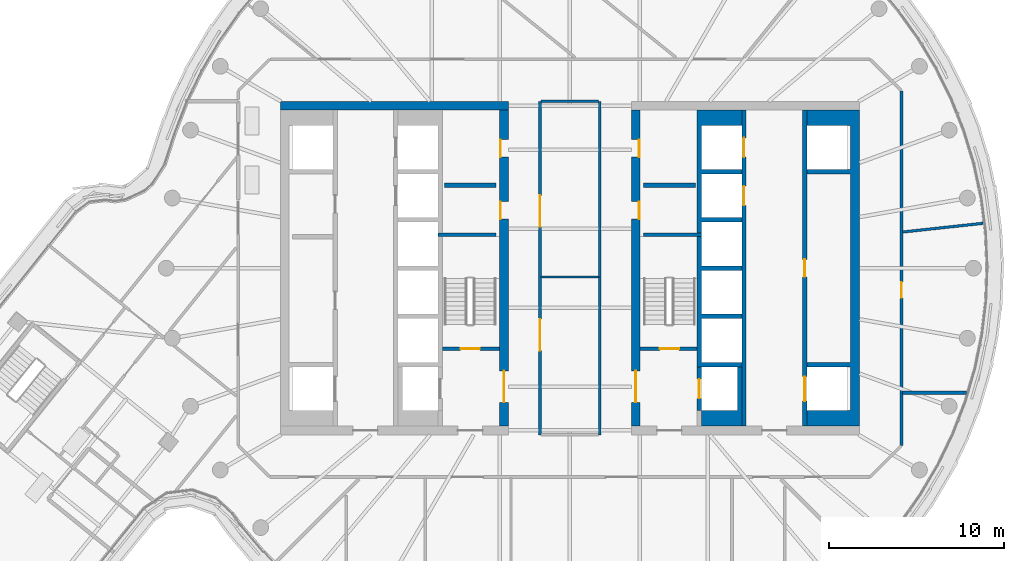
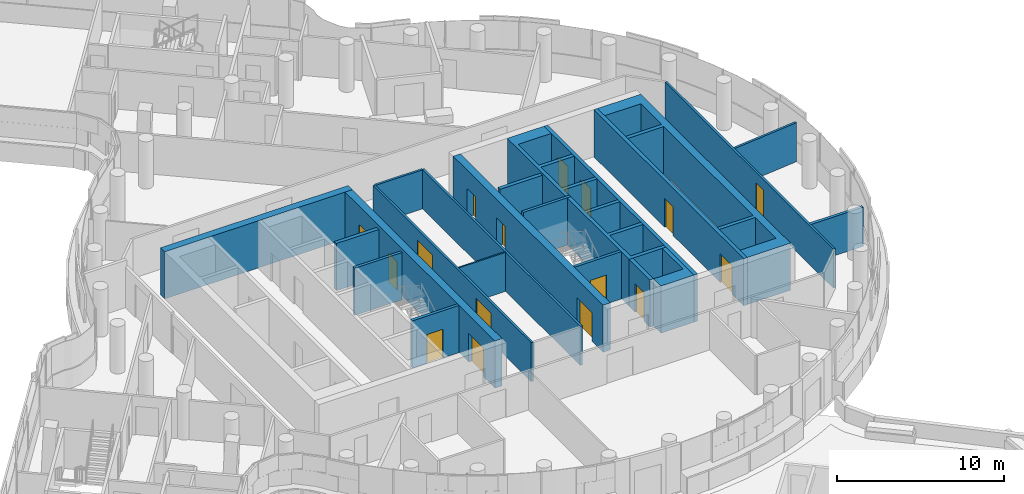
# One storey, part 17 of 25: 22 walls, 16 doors, 16 openings.
"""IFC4 building model written with IfcOpenShell, lengths in metres."""

from ifc_helpers import new_model, si_unit, direction, frame, frame_2d, origin, place, context, subcontext, project, spatial, polyline, rectangle, outline, extrude, material, layer, layer_set, type_object, element, fill, save


model = new_model("IFC4")

# Units and contexts
model_context = context("Model", 3, precision=1e-05, world=origin(), true_north=direction((0.0, 1.0)))
body_context = subcontext(model_context, "Body", "Model", "MODEL_VIEW")
ifc_project = project(units=[si_unit("LENGTHUNIT", "METRE"), si_unit("AREAUNIT", "SQUARE_METRE"), si_unit("VOLUMEUNIT", "CUBIC_METRE"), si_unit("PLANEANGLEUNIT", "RADIAN"), si_unit("MASSUNIT", "GRAM", prefix="KILO")], contexts=[model_context])

# Site, building, storey
site_placement = place(None, origin())
site = spatial("IfcSite", under=ifc_project, at=site_placement, CompositionType="ELEMENT")
building_placement = place(site_placement, origin())
building = spatial("IfcBuilding", under=site, at=building_placement, Name="Tamarind Cross Interchange Tower", CompositionType="ELEMENT")
storey_placement = place(building_placement, frame((0.0, 0.0, 219.89990234375)))
storey = spatial("IfcBuildingStorey", under=building, at=storey_placement, Name="L55", CompositionType="ELEMENT", Elevation=219.89990234375)

# Wall
ifc_material_1 = material(Name="Concrete C50", Category="concrete")
ifc_layer_1 = layer(ifc_material_1, 0.5)
ifc_layer_set_1 = layer_set([ifc_layer_1], Name="Concrete C50")
wall_type_1 = type_object("IfcWallType", Name="Core wall 500 mm Concrete C50", PredefinedType="SHEAR", material=ifc_layer_set_1)
wall_1_placement = place(storey_placement, frame((-16.5, 9.25, 0.0), z_axis=(0.0, 0.0, 1.0), x_axis=(1.0, 0.0, 0.0)))
element("IfcWall", 1, at=wall_1_placement, inside=storey, type_object=wall_type_1, Name="Core wall CWL-L55-W-NE", PredefinedType="SHEAR", context=body_context, shape_type="SweptSolid", body=[
    extrude(rectangle(XDim=13.0, YDim=0.5, at=frame_2d((6.5, 0.0))), origin(), (0.0, 0.0, 1.0), 3.460205078125),
])

# Wall, openings, doors
wall_2_placement = place(storey_placement, frame((-3.75, -9.0, 0.0), z_axis=(0.0, 0.0, 1.0), x_axis=(0.0, 1.0, 0.0)))
wall_2 = element("IfcWall", 2, at=wall_2_placement, inside=storey, type_object=wall_type_1, Name="Core wall CWL-L55-W-IN", PredefinedType="SHEAR", context=body_context, shape_type="SweptSolid", body=[
    extrude(rectangle(XDim=18.0, YDim=0.5, at=frame_2d((9.0, 0.0))), origin(), (0.0, 0.0, 1.0), 3.460205078125),
])
opening_1_placement = place(wall_2_placement, frame((1.35009765625, 0.0, 0.0)))
opening_1 = element("IfcOpeningElement", 3, at=opening_1_placement, cuts=wall_2, Name="Opening DCW4", PredefinedType="OPENING", context=body_context, shape_type="SweptSolid", body=[
    extrude(rectangle(XDim=1.800048828125, YDim=2.10009765625, at=frame_2d((0.89990234375, 1.050048828125))), frame((0.0, 0.260009765625, 0.0), z_axis=(0.0, -1.0, 0.0), x_axis=(1.0, 0.0, 0.0)), (0.0, 0.0, 1.0), 0.52001953125),
])
opening_2_placement = place(wall_2_placement, frame((11.797607421875, 0.0, 0.0)))
opening_2 = element("IfcOpeningElement", 4, at=opening_2_placement, cuts=wall_2, Name="Opening DCW5", PredefinedType="OPENING", context=body_context, shape_type="SweptSolid", body=[
    extrude(rectangle(XDim=1.0, YDim=2.10009765625, at=frame_2d((0.5, 1.050048828125))), frame((0.0, 0.260009765625, 0.0), z_axis=(0.0, -1.0, 0.0), x_axis=(1.0, 0.0, 0.0)), (0.0, 0.0, 1.0), 0.52001953125),
])
opening_3_placement = place(wall_2_placement, frame((15.322509765625, 0.0, 0.0)))
opening_3 = element("IfcOpeningElement", 5, at=opening_3_placement, cuts=wall_2, Name="Opening DCW5", PredefinedType="OPENING", context=body_context, shape_type="SweptSolid", body=[
    extrude(rectangle(XDim=1.0, YDim=2.10009765625, at=frame_2d((0.5, 1.050048828125))), frame((0.0, 0.260009765625, 0.0), z_axis=(0.0, -1.0, 0.0), x_axis=(1.0, 0.0, 0.0)), (0.0, 0.0, 1.0), 0.52001953125),
])
ifc_material_2 = material(Name="Steel, fire-resisting", Category="steel")
door_type_1 = type_object("IfcDoorType", Name="Core fire door 1000 x 2100 FD90", OperationType="SINGLE_SWING_LEFT", PredefinedType="DOOR", material=ifc_material_2)
door_1_placement = place(opening_2_placement, origin())
door_1 = element("IfcDoor", 6, at=door_1_placement, inside=storey, type_object=door_type_1, Name="L55 linen press door", OperationType="SINGLE_SWING_LEFT", OverallHeight=2.10009765625, OverallWidth=1.0, PredefinedType="DOOR", context=body_context, shape_type="SweptSolid", body=[
    extrude(rectangle(XDim=1.0, YDim=2.10009765625, at=frame_2d((0.5, 1.050048828125))), frame((0.0, 0.22509765625, 0.0), z_axis=(0.0, -1.0, 0.0), x_axis=(1.0, 0.0, 0.0)), (0.0, 0.0, 1.0), 0.050048828125),
])
fill(opening_2, door_1)
door_2_placement = place(opening_3_placement, origin())
door_2 = element("IfcDoor", 7, at=door_2_placement, inside=storey, type_object=door_type_1, Name="L55 housekeeping pantry door", OperationType="SINGLE_SWING_LEFT", OverallHeight=2.10009765625, OverallWidth=1.0, PredefinedType="DOOR", context=body_context, shape_type="SweptSolid", body=[
    extrude(rectangle(XDim=1.0, YDim=2.10009765625, at=frame_2d((0.5, 1.050048828125))), frame((0.0, 0.22509765625, 0.0), z_axis=(0.0, -1.0, 0.0), x_axis=(1.0, 0.0, 0.0)), (0.0, 0.0, 1.0), 0.050048828125),
])
fill(opening_3, door_2)
door_type_2 = type_object("IfcDoorType", Name="Core fire door 1800 x 2100 FD90", OperationType="SINGLE_SWING_LEFT", PredefinedType="DOOR", material=ifc_material_2)
door_3_placement = place(opening_1_placement, origin())
door_3 = element("IfcDoor", 8, at=door_3_placement, inside=storey, type_object=door_type_2, Name="L55 firefighting lobby door", OperationType="SINGLE_SWING_LEFT", OverallHeight=2.10009765625, OverallWidth=1.800048828125, PredefinedType="DOOR", context=body_context, shape_type="SweptSolid", body=[
    extrude(rectangle(XDim=1.800048828125, YDim=2.10009765625, at=frame_2d((0.89990234375, 1.050048828125))), frame((0.0, 0.02490234375, 0.0), z_axis=(0.0, -1.0, 0.0), x_axis=(1.0, 0.0, 0.0)), (0.0, 0.0, 1.0), 0.050048828125),
])
fill(opening_1, door_3)

# Wall
wall_3_placement = place(storey_placement, origin())
element("IfcWall", 9, at=wall_3_placement, inside=storey, type_object=wall_type_1, Name="Core wall CWL-L55-E-A", PredefinedType="SHEAR", context=body_context, shape_type="SweptSolid", body=[
    extrude(outline(polyline([(13.5, -8.125), (13.5, -9.0), (16.0, -9.0), (16.5, -9.0), (16.5, 9.0), (16.0, 9.0), (13.5, 9.0), (13.5, 8.125), (16.0, 8.125), (16.0, 5.625), (13.5, 5.625), (13.5, 5.375), (16.0, 5.375), (16.0, -5.375), (13.5, -5.375), (13.5, -5.625), (16.0, -5.625), (16.0, -8.125), (13.5, -8.125)])), origin(), (0.0, 0.0, 1.0), 3.460205078125),
])

# Wall, openings, doors
wall_4_placement = place(storey_placement, frame((3.75, -9.0, 0.0), z_axis=(0.0, 0.0, 1.0), x_axis=(0.0, 1.0, 0.0)))
wall_4 = element("IfcWall", 10, at=wall_4_placement, inside=storey, type_object=wall_type_1, Name="Core wall CWL-L55-E-IN", PredefinedType="SHEAR", context=body_context, shape_type="SweptSolid", body=[
    extrude(rectangle(XDim=18.0, YDim=0.5, at=frame_2d((9.0, 0.0))), origin(), (0.0, 0.0, 1.0), 3.460205078125),
])
opening_4_placement = place(wall_4_placement, frame((1.35009765625, 0.0, 0.0)))
opening_4 = element("IfcOpeningElement", 11, at=opening_4_placement, cuts=wall_4, Name="Opening DCE4", PredefinedType="OPENING", context=body_context, shape_type="SweptSolid", body=[
    extrude(rectangle(XDim=1.800048828125, YDim=2.10009765625, at=frame_2d((0.89990234375, 1.050048828125))), frame((0.0, 0.260009765625, 0.0), z_axis=(0.0, -1.0, 0.0), x_axis=(1.0, 0.0, 0.0)), (0.0, 0.0, 1.0), 0.52001953125),
])
opening_5_placement = place(wall_4_placement, frame((11.797607421875, 0.0, 0.0)))
opening_5 = element("IfcOpeningElement", 12, at=opening_5_placement, cuts=wall_4, Name="Opening DCE5", PredefinedType="OPENING", context=body_context, shape_type="SweptSolid", body=[
    extrude(rectangle(XDim=1.0, YDim=2.10009765625, at=frame_2d((0.5, 1.050048828125))), frame((0.0, 0.260009765625, 0.0), z_axis=(0.0, -1.0, 0.0), x_axis=(1.0, 0.0, 0.0)), (0.0, 0.0, 1.0), 0.52001953125),
])
opening_6_placement = place(wall_4_placement, frame((15.322509765625, 0.0, 0.0)))
opening_6 = element("IfcOpeningElement", 13, at=opening_6_placement, cuts=wall_4, Name="Opening DCE5", PredefinedType="OPENING", context=body_context, shape_type="SweptSolid", body=[
    extrude(rectangle(XDim=1.0, YDim=2.10009765625, at=frame_2d((0.5, 1.050048828125))), frame((0.0, 0.260009765625, 0.0), z_axis=(0.0, -1.0, 0.0), x_axis=(1.0, 0.0, 0.0)), (0.0, 0.0, 1.0), 0.52001953125),
])
door_4_placement = place(opening_5_placement, origin())
door_4 = element("IfcDoor", 14, at=door_4_placement, inside=storey, type_object=door_type_1, Name="L55 linen press door", OperationType="SINGLE_SWING_LEFT", OverallHeight=2.10009765625, OverallWidth=1.0, PredefinedType="DOOR", context=body_context, shape_type="SweptSolid", body=[
    extrude(rectangle(XDim=1.0, YDim=2.10009765625, at=frame_2d((0.5, 1.050048828125))), frame((0.0, -0.1748046875, 0.0), z_axis=(0.0, -1.0, 0.0), x_axis=(1.0, 0.0, 0.0)), (0.0, 0.0, 1.0), 0.050048828125),
])
fill(opening_5, door_4)
door_5_placement = place(opening_6_placement, origin())
door_5 = element("IfcDoor", 15, at=door_5_placement, inside=storey, type_object=door_type_1, Name="L55 housekeeping pantry door", OperationType="SINGLE_SWING_LEFT", OverallHeight=2.10009765625, OverallWidth=1.0, PredefinedType="DOOR", context=body_context, shape_type="SweptSolid", body=[
    extrude(rectangle(XDim=1.0, YDim=2.10009765625, at=frame_2d((0.5, 1.050048828125))), frame((0.0, -0.1748046875, 0.0), z_axis=(0.0, -1.0, 0.0), x_axis=(1.0, 0.0, 0.0)), (0.0, 0.0, 1.0), 0.050048828125),
])
fill(opening_6, door_5)
door_6_placement = place(opening_4_placement, origin())
door_6 = element("IfcDoor", 16, at=door_6_placement, inside=storey, type_object=door_type_2, Name="L55 firefighting lobby door", OperationType="SINGLE_SWING_LEFT", OverallHeight=2.10009765625, OverallWidth=1.800048828125, PredefinedType="DOOR", context=body_context, shape_type="SweptSolid", body=[
    extrude(rectangle(XDim=1.800048828125, YDim=2.10009765625, at=frame_2d((0.89990234375, 1.050048828125))), frame((0.0, 0.02490234375, 0.0), z_axis=(0.0, -1.0, 0.0), x_axis=(1.0, 0.0, 0.0)), (0.0, 0.0, 1.0), 0.050048828125),
])
fill(opening_4, door_6)

# Walls
ifc_layer_2 = layer(ifc_material_1, 0.199951171875)
ifc_layer_set_2 = layer_set([ifc_layer_2], Name="Concrete C50")
wall_type_2 = type_object("IfcWallType", Name="Core web wall 200 mm Concrete C50", PredefinedType="SHEAR", material=ifc_layer_set_2)
for number, where, z_axis, x_axis, name in (
    (17, (-7.5, 1.89990234375, 0.0), (0.0, 0.0, 1.0), (1.0, 0.0, 0.0), "Core wall CWL-L55-W-BD"),
    (18, (7.5, 1.89990234375, 0.0), (0.0, 0.0, 1.0), (-1.0, 0.0, 0.0), "Core wall CWL-L55-E-BD"),
):
    element("IfcWall", number, at=place(storey_placement, frame(where, z_axis=z_axis, x_axis=x_axis)), inside=storey, type_object=wall_type_2, Name=name, PredefinedType="SHEAR", context=body_context, shape_type="SweptSolid", body=[
        extrude(rectangle(XDim=3.300048828125, YDim=0.199951171875, at=frame_2d((1.64990234375, 0.0))), origin(), (0.0, 0.0, 1.0), 3.460205078125),
    ])
ifc_layer_3 = layer(ifc_material_1, 0.25)
ifc_layer_set_3 = layer_set([ifc_layer_3], Name="Concrete C50")
wall_type_3 = type_object("IfcWallType", Name="Core web wall 250 mm Concrete C50", PredefinedType="SHEAR", material=ifc_layer_set_3)
wall_5_placement = place(storey_placement, origin())
element("IfcWall", 19, at=wall_5_placement, inside=storey, type_object=wall_type_3, Name="Core wall CWL-L55-E-BN", PredefinedType="SHEAR", context=body_context, shape_type="SweptSolid", body=[
    extrude(outline(polyline([(9.800048828125, -5.375), (7.5, -5.375), (7.5, -2.875), (9.800048828125, -2.875), (9.800048828125, -2.625), (7.5, -2.625), (7.5, -0.125), (9.800048828125, -0.125), (9.800048828125, 0.125), (7.5, 0.125), (7.5, 2.625), (9.800048828125, 2.625), (9.800048828125, 2.875), (7.5, 2.875), (7.5, 5.375), (9.800048828125, 5.375), (9.800048828125, 5.625), (7.5, 5.625), (7.5, 8.125), (9.800048828125, 8.125), (9.800048828125, 9.0), (7.5, 9.0), (7.25, 9.0), (7.25, -5.625), (7.5, -5.625), (9.800048828125, -5.625), (9.800048828125, -5.375)])), origin(), (0.0, 0.0, 1.0), 3.460205078125),
])
wall_6_placement = place(storey_placement, origin())
element("IfcWall", 20, at=wall_6_placement, inside=storey, type_object=wall_type_3, Name="Core wall CWL-L55-E-BS", PredefinedType="SHEAR", context=body_context, shape_type="SweptSolid", body=[
    extrude(outline(polyline([(7.5, -8.125), (7.5, -9.0), (9.800048828125, -9.0), (9.800048828125, -8.125), (9.800048828125, -5.625), (9.550048828125, -5.625), (9.550048828125, -8.125), (7.5, -8.125)])), origin(), (0.0, 0.0, 1.0), 3.460205078125),
])

# Wall, openings, doors
wall_7_placement = place(storey_placement, frame((13.375, -9.0, 0.0), z_axis=(0.0, 0.0, 1.0), x_axis=(0.0, 1.0, 0.0)))
wall_7 = element("IfcWall", 21, at=wall_7_placement, inside=storey, type_object=wall_type_3, Name="Core wall CWL-L55-E-LA", PredefinedType="SHEAR", context=body_context, shape_type="SweptSolid", body=[
    extrude(rectangle(XDim=18.0, YDim=0.25, at=frame_2d((9.0, 0.0))), origin(), (0.0, 0.0, 1.0), 3.460205078125),
])
opening_7_placement = place(wall_7_placement, frame((1.425048828125, 0.0, 0.0)))
opening_7 = element("IfcOpeningElement", 22, at=opening_7_placement, cuts=wall_7, Name="Opening LD13L55", PredefinedType="OPENING", context=body_context, shape_type="SweptSolid", body=[
    extrude(rectangle(XDim=1.39990234375, YDim=2.10009765625, at=frame_2d((0.699951171875, 1.050048828125))), frame((0.0, 0.135009765625, 0.0), z_axis=(0.0, -1.0, 0.0), x_axis=(1.0, 0.0, 0.0)), (0.0, 0.0, 1.0), 0.27001953125),
])
opening_8_placement = place(wall_7_placement, frame((8.5, 0.0, 0.0)))
opening_8 = element("IfcOpeningElement", 23, at=opening_8_placement, cuts=wall_7, Name="Opening DCE9", PredefinedType="OPENING", context=body_context, shape_type="SweptSolid", body=[
    extrude(rectangle(XDim=1.0, YDim=2.10009765625, at=frame_2d((0.5, 1.050048828125))), frame((0.0, 0.135009765625, 0.0), z_axis=(0.0, -1.0, 0.0), x_axis=(1.0, 0.0, 0.0)), (0.0, 0.0, 1.0), 0.27001953125),
])
door_7_placement = place(opening_8_placement, origin())
door_7 = element("IfcDoor", 24, at=door_7_placement, inside=storey, type_object=door_type_1, Name="L55 Housekeeping pantry door", OperationType="SINGLE_SWING_LEFT", OverallHeight=2.10009765625, OverallWidth=1.0, PredefinedType="DOOR", context=body_context, shape_type="SweptSolid", body=[
    extrude(rectangle(XDim=1.0, YDim=2.10009765625, at=frame_2d((0.5, 1.050048828125))), frame((0.0, 0.02490234375, 0.0), z_axis=(0.0, -1.0, 0.0), x_axis=(1.0, 0.0, 0.0)), (0.0, 0.0, 1.0), 0.050048828125),
])
fill(opening_8, door_7)
ifc_material_3 = material(Name="Stainless steel panel", Category="steel")
door_type_3 = type_object("IfcDoorType", Name="Lift landing door 1400 x 2100 E 120", OperationType="SLIDING_TO_LEFT", PredefinedType="DOOR", material=ifc_material_3)
door_8_placement = place(opening_7_placement, origin())
door_8 = element("IfcDoor", 25, at=door_8_placement, inside=storey, type_object=door_type_3, Name="L55 landing door LF13", OperationType="SLIDING_TO_LEFT", OverallHeight=2.10009765625, OverallWidth=1.39990234375, PredefinedType="DOOR", context=body_context, shape_type="SweptSolid", body=[
    extrude(rectangle(XDim=1.39990234375, YDim=2.10009765625, at=frame_2d((0.699951171875, 1.050048828125))), frame((0.0, 0.02490234375, 0.0), z_axis=(0.0, -1.0, 0.0), x_axis=(1.0, 0.0, 0.0)), (0.0, 0.0, 1.0), 0.050048828125),
])
fill(opening_7, door_8)

wall_8_placement = place(storey_placement, frame((9.925048828125, -9.0, 0.0), z_axis=(0.0, 0.0, 1.0), x_axis=(0.0, 1.0, 0.0)))
wall_8 = element("IfcWall", 26, at=wall_8_placement, inside=storey, type_object=wall_type_3, Name="Core wall CWL-L55-E-LB", PredefinedType="SHEAR", context=body_context, shape_type="SweptSolid", body=[
    extrude(rectangle(XDim=18.0, YDim=0.25, at=frame_2d((9.0, 0.0))), origin(), (0.0, 0.0, 1.0), 3.460205078125),
])
opening_9_placement = place(wall_8_placement, frame((12.574951171875, 0.0, 0.0)))
opening_9 = element("IfcOpeningElement", 27, at=opening_9_placement, cuts=wall_8, Name="Opening LD23L55", PredefinedType="OPENING", context=body_context, shape_type="SweptSolid", body=[
    extrude(rectangle(XDim=1.10009765625, YDim=2.10009765625, at=frame_2d((0.550048828125, 1.050048828125))), frame((0.0, 0.135009765625, 0.0), z_axis=(0.0, -1.0, 0.0), x_axis=(1.0, 0.0, 0.0)), (0.0, 0.0, 1.0), 0.27001953125),
])
opening_10_placement = place(wall_8_placement, frame((15.324951171875, 0.0, 0.0)))
opening_10 = element("IfcOpeningElement", 28, at=opening_10_placement, cuts=wall_8, Name="Opening LD24L55", PredefinedType="OPENING", context=body_context, shape_type="SweptSolid", body=[
    extrude(rectangle(XDim=1.10009765625, YDim=2.10009765625, at=frame_2d((0.550048828125, 1.050048828125))), frame((0.0, 0.135009765625, 0.0), z_axis=(0.0, -1.0, 0.0), x_axis=(1.0, 0.0, 0.0)), (0.0, 0.0, 1.0), 0.27001953125),
])
door_type_4 = type_object("IfcDoorType", Name="Lift landing door 1100 x 2100 E 120", OperationType="SLIDING_TO_LEFT", PredefinedType="DOOR", material=ifc_material_3)
door_9_placement = place(opening_9_placement, origin())
door_9 = element("IfcDoor", 29, at=door_9_placement, inside=storey, type_object=door_type_4, Name="L55 landing door LF23", OperationType="SLIDING_TO_LEFT", OverallHeight=2.10009765625, OverallWidth=1.10009765625, PredefinedType="DOOR", context=body_context, shape_type="SweptSolid", body=[
    extrude(rectangle(XDim=1.10009765625, YDim=2.10009765625, at=frame_2d((0.550048828125, 1.050048828125))), frame((0.0, 0.02490234375, 0.0), z_axis=(0.0, -1.0, 0.0), x_axis=(1.0, 0.0, 0.0)), (0.0, 0.0, 1.0), 0.050048828125),
])
fill(opening_9, door_9)
door_10_placement = place(opening_10_placement, origin())
door_10 = element("IfcDoor", 30, at=door_10_placement, inside=storey, type_object=door_type_4, Name="L55 landing door LF24", OperationType="SLIDING_TO_LEFT", OverallHeight=2.10009765625, OverallWidth=1.10009765625, PredefinedType="DOOR", context=body_context, shape_type="SweptSolid", body=[
    extrude(rectangle(XDim=1.10009765625, YDim=2.10009765625, at=frame_2d((0.550048828125, 1.050048828125))), frame((0.0, 0.02490234375, 0.0), z_axis=(0.0, -1.0, 0.0), x_axis=(1.0, 0.0, 0.0)), (0.0, 0.0, 1.0), 0.050048828125),
])
fill(opening_10, door_10)

# Wall, opening, door
wall_9_placement = place(storey_placement, frame((7.375, -8.125, 0.0), z_axis=(0.0, 0.0, 1.0), x_axis=(0.0, 1.0, 0.0)))
wall_9 = element("IfcWall", 31, at=wall_9_placement, inside=storey, type_object=wall_type_3, Name="Core wall CWL-L55-E-FF", PredefinedType="SHEAR", context=body_context, shape_type="SweptSolid", body=[
    extrude(rectangle(XDim=2.5, YDim=0.25, at=frame_2d((1.25, 0.0))), origin(), (0.0, 0.0, 1.0), 3.460205078125),
])
opening_11_placement = place(wall_9_placement, frame((0.699951171875, 0.0, 0.0)))
opening_11 = element("IfcOpeningElement", 32, at=opening_11_placement, cuts=wall_9, Name="Opening LD19L55", PredefinedType="OPENING", context=body_context, shape_type="SweptSolid", body=[
    extrude(rectangle(XDim=1.10009765625, YDim=2.10009765625, at=frame_2d((0.550048828125, 1.050048828125))), frame((0.0, 0.135009765625, 0.0), z_axis=(0.0, -1.0, 0.0), x_axis=(1.0, 0.0, 0.0)), (0.0, 0.0, 1.0), 0.27001953125),
])
door_11_placement = place(opening_11_placement, origin())
door_11 = element("IfcDoor", 33, at=door_11_placement, inside=storey, type_object=door_type_4, Name="L55 landing door LF19", OperationType="SLIDING_TO_LEFT", OverallHeight=2.10009765625, OverallWidth=1.10009765625, PredefinedType="DOOR", context=body_context, shape_type="SweptSolid", body=[
    extrude(rectangle(XDim=1.10009765625, YDim=2.10009765625, at=frame_2d((0.550048828125, 1.050048828125))), frame((0.0, 0.02490234375, 0.0), z_axis=(0.0, -1.0, 0.0), x_axis=(1.0, 0.0, 0.0)), (0.0, 0.0, 1.0), 0.050048828125),
])
fill(opening_11, door_11)

# Walls
ifc_material_4 = material(Name="Gypsum board partition on steel studs", Category="steel")
ifc_layer_4 = layer(ifc_material_4, 0.10009765625)
ifc_layer_set_4 = layer_set([ifc_layer_4], Name="Gypsum board partition on steel studs")
wall_type_4 = type_object("IfcWallType", Name="Partition 100 mm EI 120", PredefinedType="PARTITIONING", material=ifc_layer_set_4)
wall_10_placement = place(storey_placement, frame((-1.639892578125, -0.5, 0.0), z_axis=(0.0, 0.0, 1.0), x_axis=(1.0, 0.0, 0.0)))
element("IfcWall", 34, at=wall_10_placement, inside=storey, type_object=wall_type_4, Name="Partition L55-027", PredefinedType="PARTITIONING", context=body_context, shape_type="SweptSolid", body=[
    extrude(rectangle(XDim=3.27978515625, YDim=0.10009765625, at=frame_2d((1.639892578125, 0.0))), origin(), (0.0, 0.0, 1.0), 2.864013671875),
])
ifc_layer_5 = layer(ifc_material_4, 0.14990234375)
ifc_layer_set_5 = layer_set([ifc_layer_5], Name="Gypsum board partition on steel studs")
wall_type_5 = type_object("IfcWallType", Name="Partition 150 mm EI 120", PredefinedType="PARTITIONING", material=ifc_layer_set_5)
wall_11_placement = place(storey_placement, frame((-1.639892578125, 9.5, 0.0), z_axis=(0.0, 0.0, 1.0), x_axis=(1.0, 0.0, 0.0)))
element("IfcWall", 35, at=wall_11_placement, inside=storey, type_object=wall_type_5, Name="Partition L55-028", PredefinedType="PARTITIONING", context=body_context, shape_type="SweptSolid", body=[
    extrude(rectangle(XDim=3.27978515625, YDim=0.14990234375, at=frame_2d((1.639892578125, 0.0))), origin(), (0.0, 0.0, 1.0), 2.864013671875),
])
wall_12_placement = place(storey_placement, frame((18.964599609375, 2.05908203125, 0.0), z_axis=(0.0, 0.0, 1.0), x_axis=(0.994181439034, 0.107718458398, 0.0)))
element("IfcWall", 36, at=wall_12_placement, inside=storey, type_object=wall_type_5, Name="Partition L55-030", PredefinedType="PARTITIONING", context=body_context, shape_type="SweptSolid", body=[
    extrude(rectangle(XDim=4.603271484375, YDim=0.14990234375, at=frame_2d((2.3017578125, 0.0))), origin(), (0.0, 0.0, 1.0), 2.864013671875),
])

# Wall, openings, doors
wall_13_placement = place(storey_placement, frame((-1.699951171875, -9.5, 0.0), z_axis=(0.0, 0.0, 1.0), x_axis=(0.0, 1.0, 0.0)))
wall_13 = element("IfcWall", 37, at=wall_13_placement, inside=storey, type_object=wall_type_5, Name="Partition L55-055", PredefinedType="PARTITIONING", context=body_context, shape_type="SweptSolid", body=[
    extrude(rectangle(XDim=19.0, YDim=0.14990234375, at=frame_2d((9.5, 0.0))), origin(), (0.0, 0.0, 1.0), 2.864013671875),
])
opening_12_placement = place(wall_13_placement, frame((4.800048828125, 0.0, 0.0)))
opening_12 = element("IfcOpeningElement", 38, at=opening_12_placement, cuts=wall_13, Name="Opening D29", PredefinedType="OPENING", context=body_context, shape_type="SweptSolid", body=[
    extrude(rectangle(XDim=1.800048828125, YDim=2.10009765625, at=frame_2d((0.89990234375, 1.050048828125))), frame((0.0, 0.0849609375, 0.0), z_axis=(0.0, -1.0, 0.0), x_axis=(1.0, 0.0, 0.0)), (0.0, 0.0, 1.0), 0.169921875),
])
opening_13_placement = place(wall_13_placement, frame((11.85009765625, 0.0, 0.0)))
opening_13 = element("IfcOpeningElement", 39, at=opening_13_placement, cuts=wall_13, Name="Opening D30", PredefinedType="OPENING", context=body_context, shape_type="SweptSolid", body=[
    extrude(rectangle(XDim=1.800048828125, YDim=2.10009765625, at=frame_2d((0.89990234375, 1.050048828125))), frame((0.0, 0.0849609375, 0.0), z_axis=(0.0, -1.0, 0.0), x_axis=(1.0, 0.0, 0.0)), (0.0, 0.0, 1.0), 0.169921875),
])
ifc_material_5 = material(Name="Fire-resisting door set")
door_type_5 = type_object("IfcDoorType", Name="Interior door 1800 x 2100 FD60S", OperationType="DOUBLE_DOOR_SINGLE_SWING", PredefinedType="DOOR", material=ifc_material_5)
door_12_placement = place(opening_12_placement, frame((1.800048828125, 0.0, 0.0), z_axis=(0.0, 0.0, 1.0), x_axis=(-1.0, 0.0, 0.0)))
door_12 = element("IfcDoor", 40, at=door_12_placement, inside=storey, type_object=door_type_5, Name="Door D29", OperationType="DOUBLE_DOOR_SINGLE_SWING", OverallHeight=2.10009765625, OverallWidth=1.800048828125, PredefinedType="DOOR", context=body_context, shape_type="SweptSolid", body=[
    extrude(rectangle(XDim=1.800048828125, YDim=2.10009765625, at=frame_2d((0.89990234375, 1.050048828125))), frame((0.0, 0.02490234375, 0.0), z_axis=(0.0, -1.0, 0.0), x_axis=(1.0, 0.0, 0.0)), (0.0, 0.0, 1.0), 0.050048828125),
])
fill(opening_12, door_12)
door_13_placement = place(opening_13_placement, frame((1.800048828125, 0.0, 0.0), z_axis=(0.0, 0.0, 1.0), x_axis=(-1.0, 0.0, 0.0)))
door_13 = element("IfcDoor", 41, at=door_13_placement, inside=storey, type_object=door_type_5, Name="Door D30", OperationType="DOUBLE_DOOR_SINGLE_SWING", OverallHeight=2.10009765625, OverallWidth=1.800048828125, PredefinedType="DOOR", context=body_context, shape_type="SweptSolid", body=[
    extrude(rectangle(XDim=1.800048828125, YDim=2.10009765625, at=frame_2d((0.89990234375, 1.050048828125))), frame((0.0, 0.02490234375, 0.0), z_axis=(0.0, -1.0, 0.0), x_axis=(1.0, 0.0, 0.0)), (0.0, 0.0, 1.0), 0.050048828125),
])
fill(opening_13, door_13)

# Wall
wall_14_placement = place(storey_placement, frame((1.699951171875, -9.5, 0.0), z_axis=(0.0, 0.0, 1.0), x_axis=(0.0, 1.0, 0.0)))
element("IfcWall", 42, at=wall_14_placement, inside=storey, type_object=wall_type_5, Name="Partition L55-056", PredefinedType="PARTITIONING", context=body_context, shape_type="SweptSolid", body=[
    extrude(rectangle(XDim=19.0, YDim=0.14990234375, at=frame_2d((9.5, 0.0))), origin(), (0.0, 0.0, 1.0), 2.864013671875),
])

# Wall, opening, door
wall_15_placement = place(storey_placement, frame((18.89990234375, -10.10009765625, 0.0), z_axis=(0.0, 0.0, 1.0), x_axis=(0.0, 1.0, 0.0)))
wall_15 = element("IfcWall", 43, at=wall_15_placement, inside=storey, type_object=wall_type_5, Name="Partition L55-059", PredefinedType="PARTITIONING", context=body_context, shape_type="SweptSolid", body=[
    extrude(rectangle(XDim=20.2001953125, YDim=0.14990234375, at=frame_2d((10.10009765625, 0.0))), origin(), (0.0, 0.0, 1.0), 2.864013671875),
])
opening_14_placement = place(wall_15_placement, frame((8.406982421875, 0.0, 0.0)))
opening_14 = element("IfcOpeningElement", 44, at=opening_14_placement, cuts=wall_15, Name="Opening D31", PredefinedType="OPENING", context=body_context, shape_type="SweptSolid", body=[
    extrude(rectangle(XDim=0.89990234375, YDim=2.10009765625, at=frame_2d((0.449951171875, 1.050048828125))), frame((0.0, 0.0849609375, 0.0), z_axis=(0.0, -1.0, 0.0), x_axis=(1.0, 0.0, 0.0)), (0.0, 0.0, 1.0), 0.169921875),
])
door_type_6 = type_object("IfcDoorType", Name="Interior door 900 x 2100 FD60S", OperationType="SINGLE_SWING_LEFT", PredefinedType="DOOR", material=ifc_material_5)
door_14_placement = place(opening_14_placement, frame((0.89990234375, 0.0, 0.0), z_axis=(0.0, 0.0, 1.0), x_axis=(-1.0, 0.0, 0.0)))
door_14 = element("IfcDoor", 45, at=door_14_placement, inside=storey, type_object=door_type_6, Name="Door D31", OperationType="SINGLE_SWING_LEFT", OverallHeight=2.10009765625, OverallWidth=0.89990234375, PredefinedType="DOOR", context=body_context, shape_type="SweptSolid", body=[
    extrude(rectangle(XDim=0.89990234375, YDim=2.10009765625, at=frame_2d((0.449951171875, 1.050048828125))), frame((0.0, 0.02490234375, 0.0), z_axis=(0.0, -1.0, 0.0), x_axis=(1.0, 0.0, 0.0)), (0.0, 0.0, 1.0), 0.050048828125),
])
fill(opening_14, door_14)

# Walls
ifc_layer_6 = layer(ifc_material_4, 0.199951171875)
ifc_layer_set_6 = layer_set([ifc_layer_6], Name="Gypsum board partition on steel studs")
wall_type_6 = type_object("IfcWallType", Name="Partition 200 mm EI 180", PredefinedType="PARTITIONING", material=ifc_layer_set_6)
wall_16_placement = place(storey_placement, frame((18.955078125, -7.093017578125, 0.0), z_axis=(0.0, 0.0, 1.0), x_axis=(1.0, 0.0, 0.0)))
element("IfcWall", 46, at=wall_16_placement, inside=storey, type_object=wall_type_6, Name="Partition L55-029", PredefinedType="PARTITIONING", context=body_context, shape_type="SweptSolid", body=[
    extrude(rectangle(XDim=3.636474609375, YDim=0.199951171875, at=frame_2d((1.818359375, 0.0))), origin(), (0.0, 0.0, 1.0), 2.864013671875),
])
ifc_material_6 = material(Name="Concrete C40", Category="concrete")
ifc_layer_7 = layer(ifc_material_6, 0.25)
ifc_layer_set_7 = layer_set([ifc_layer_7], Name="Concrete C40")
wall_type_7 = type_object("IfcWallType", Name="Shaft and lobby wall 250 mm Concrete C40", PredefinedType="PARTITIONING", material=ifc_layer_set_7)
for number, where, z_axis, x_axis, name in (
    (47, (-7.14990234375, 4.719970703125, 0.0), (0.0, 0.0, 1.0), (1.0, 0.0, 0.0), "Shaft wall CWL-L55-W-SVP"),
    (48, (7.14990234375, 4.719970703125, 0.0), (0.0, 0.0, 1.0), (-1.0, 0.0, 0.0), "Shaft wall CWL-L55-E-SVP"),
):
    element("IfcWall", number, at=place(storey_placement, frame(where, z_axis=z_axis, x_axis=x_axis)), inside=storey, type_object=wall_type_7, Name=name, PredefinedType="PARTITIONING", context=body_context, shape_type="SweptSolid", body=[
        extrude(rectangle(XDim=2.949951171875, YDim=0.25, at=frame_2d((1.47509765625, 0.0))), origin(), (0.0, 0.0, 1.0), 3.460205078125),
    ])

# Wall, opening, door
ifc_layer_8 = layer(ifc_material_6, 0.199951171875)
ifc_layer_set_8 = layer_set([ifc_layer_8], Name="Concrete C40")
wall_type_8 = type_object("IfcWallType", Name="Stair shaft wall 200 mm Concrete C40", PredefinedType="SHEAR", material=ifc_layer_set_8)
wall_17_placement = place(storey_placement, frame((-7.25, -4.60009765625, 0.0), z_axis=(0.0, 0.0, 1.0), x_axis=(1.0, 0.0, 0.0)))
wall_17 = element("IfcWall", 49, at=wall_17_placement, inside=storey, type_object=wall_type_8, Name="Core wall CWL-L55-W-SD", PredefinedType="SHEAR", context=body_context, shape_type="SweptSolid", body=[
    extrude(rectangle(XDim=3.25, YDim=0.199951171875, at=frame_2d((1.625, 0.0))), origin(), (0.0, 0.0, 1.0), 3.460205078125),
])
opening_15_placement = place(wall_17_placement, frame((1.02490234375, 0.0, 0.0)))
opening_15 = element("IfcOpeningElement", 50, at=opening_15_placement, cuts=wall_17, Name="Opening DCW6", PredefinedType="OPENING", context=body_context, shape_type="SweptSolid", body=[
    extrude(rectangle(XDim=1.10009765625, YDim=2.10009765625, at=frame_2d((0.550048828125, 1.050048828125))), frame((0.0, 0.10986328125, 0.0), z_axis=(0.0, -1.0, 0.0), x_axis=(1.0, 0.0, 0.0)), (0.0, 0.0, 1.0), 0.219970703125),
])
door_type_7 = type_object("IfcDoorType", Name="Core fire door 1100 x 2100 FD90", OperationType="SINGLE_SWING_LEFT", PredefinedType="DOOR", material=ifc_material_2)
door_15_placement = place(opening_15_placement, origin())
door_15 = element("IfcDoor", 51, at=door_15_placement, inside=storey, type_object=door_type_7, Name="L55 stair door", OperationType="SINGLE_SWING_LEFT", OverallHeight=2.10009765625, OverallWidth=1.10009765625, PredefinedType="DOOR", context=body_context, shape_type="SweptSolid", body=[
    extrude(rectangle(XDim=1.10009765625, YDim=2.10009765625, at=frame_2d((0.550048828125, 1.050048828125))), frame((0.0, 0.02490234375, 0.0), z_axis=(0.0, -1.0, 0.0), x_axis=(1.0, 0.0, 0.0)), (0.0, 0.0, 1.0), 0.050048828125),
])
fill(opening_15, door_15)

wall_18_placement = place(storey_placement, frame((7.25, -4.60009765625, 0.0), z_axis=(0.0, 0.0, 1.0), x_axis=(-1.0, 0.0, 0.0)))
wall_18 = element("IfcWall", 52, at=wall_18_placement, inside=storey, type_object=wall_type_8, Name="Core wall CWL-L55-E-SD", PredefinedType="SHEAR", context=body_context, shape_type="SweptSolid", body=[
    extrude(rectangle(XDim=3.25, YDim=0.199951171875, at=frame_2d((1.625, 0.0))), origin(), (0.0, 0.0, 1.0), 3.460205078125),
])
opening_16_placement = place(wall_18_placement, frame((1.02490234375, 0.0, 0.0)))
opening_16 = element("IfcOpeningElement", 53, at=opening_16_placement, cuts=wall_18, Name="Opening DCE6", PredefinedType="OPENING", context=body_context, shape_type="SweptSolid", body=[
    extrude(rectangle(XDim=1.10009765625, YDim=2.10009765625, at=frame_2d((0.550048828125, 1.050048828125))), frame((0.0, 0.10986328125, 0.0), z_axis=(0.0, -1.0, 0.0), x_axis=(1.0, 0.0, 0.0)), (0.0, 0.0, 1.0), 0.219970703125),
])
door_16_placement = place(opening_16_placement, origin())
door_16 = element("IfcDoor", 54, at=door_16_placement, inside=storey, type_object=door_type_7, Name="L55 stair door", OperationType="SINGLE_SWING_LEFT", OverallHeight=2.10009765625, OverallWidth=1.10009765625, PredefinedType="DOOR", context=body_context, shape_type="SweptSolid", body=[
    extrude(rectangle(XDim=1.10009765625, YDim=2.10009765625, at=frame_2d((0.550048828125, 1.050048828125))), frame((0.0, 0.02490234375, 0.0), z_axis=(0.0, -1.0, 0.0), x_axis=(1.0, 0.0, 0.0)), (0.0, 0.0, 1.0), 0.050048828125),
])
fill(opening_16, door_16)

save(model, "model.ifc")
